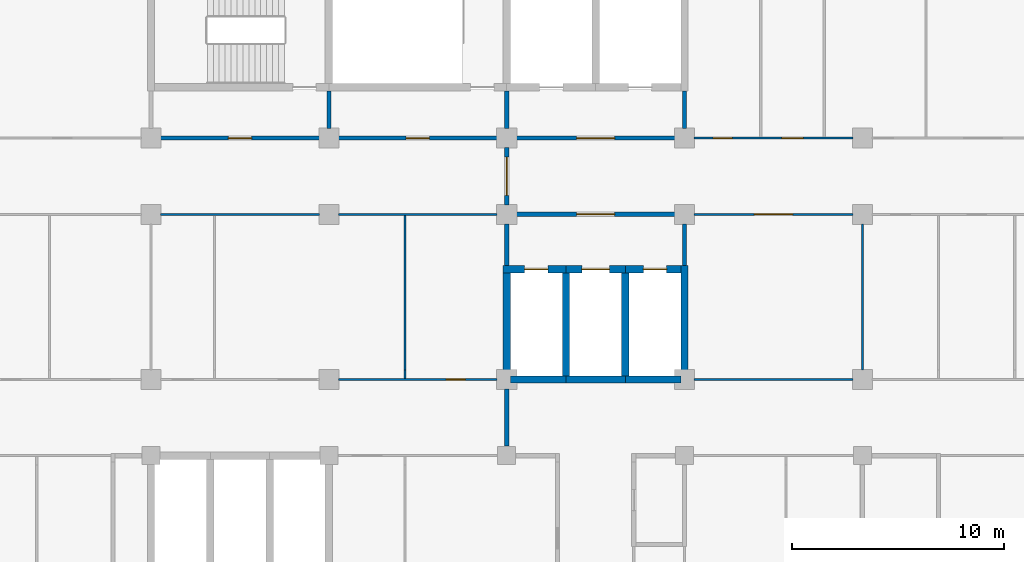
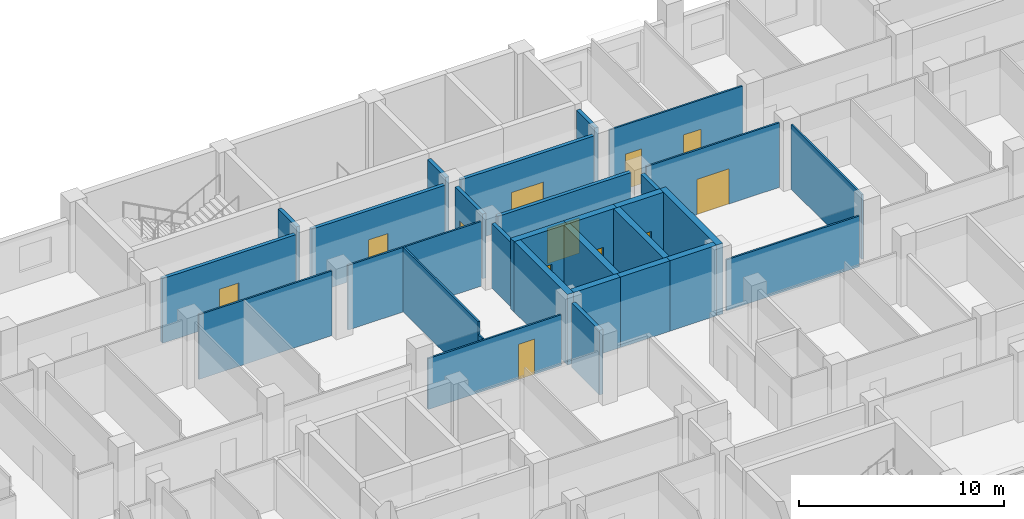
# One storey, part 66 of 109: 30 walls, 12 doors, 12 openings.
"""IFC4 building model written with IfcOpenShell, lengths in metres."""

from ifc_helpers import new_model, si_unit, direction, frame, frame_2d, origin, place, context, subcontext, project, spatial, rectangle, extrude, material, layer, layer_set, type_object, element, fill, save


model = new_model("IFC4")

# Units and contexts
model_context = context("Model", 3, precision=1e-05, world=origin(), true_north=direction((0.0, 1.0)))
body_context = subcontext(model_context, "Body", "Model", "MODEL_VIEW")
ifc_project = project(units=[si_unit("LENGTHUNIT", "METRE"), si_unit("AREAUNIT", "SQUARE_METRE"), si_unit("VOLUMEUNIT", "CUBIC_METRE"), si_unit("PLANEANGLEUNIT", "RADIAN"), si_unit("MASSUNIT", "GRAM", prefix="KILO")], contexts=[model_context])

# Site, building, storey
site_placement = place(None, origin())
site = spatial("IfcSite", under=ifc_project, at=site_placement, CompositionType="ELEMENT")
building_placement = place(site_placement, origin())
building = spatial("IfcBuilding", under=site, at=building_placement, Name="Bougainvillea Quay General Hospital", CompositionType="ELEMENT")
storey_placement = place(building_placement, frame((0.0, 0.0, 12.60009765625)))
storey = spatial("IfcBuildingStorey", under=building, at=storey_placement, Name="L02", CompositionType="ELEMENT", Elevation=12.60009765625)

# Wall
ifc_material_1 = material(Name="Gypsum board partition on steel studs", Category="steel")
ifc_layer_1 = layer(ifc_material_1, 0.10009765625)
ifc_layer_set_1 = layer_set([ifc_layer_1], Name="Gypsum board partition on steel studs")
wall_type_1 = type_object("IfcWallType", Name="Partition 100 Gypsum board partition", PredefinedType="PARTITIONING", material=ifc_layer_set_1)
wall_1_placement = place(storey_placement, frame((167.550048828125, 140.39990234375, 0.0), z_axis=(0.0, 0.0, 1.0), x_axis=(-1.0, 0.0, 0.0)))
element("IfcWall", 1, at=wall_1_placement, inside=storey, type_object=wall_type_1, Name="Partition 100 mm", PredefinedType="PARTITIONING", context=body_context, shape_type="SweptSolid", body=[
    extrude(rectangle(XDim=7.5, YDim=0.10009765625, at=frame_2d((3.75, 0.0))), origin(), (0.0, 0.0, 1.0), 3.02978515625),
])

# Wall, opening, door
wall_2_placement = place(storey_placement, frame((167.550048828125, 148.199951171875, 0.0), z_axis=(0.0, 0.0, 1.0), x_axis=(-1.0, 0.0, 0.0)))
wall_2 = element("IfcWall", 2, at=wall_2_placement, inside=storey, type_object=wall_type_1, Name="Partition 100 mm", PredefinedType="PARTITIONING", context=body_context, shape_type="SweptSolid", body=[
    extrude(rectangle(XDim=7.5, YDim=0.10009765625, at=frame_2d((3.75, 0.0))), origin(), (0.0, 0.0, 1.0), 3.849853515625),
])
opening_1_placement = place(wall_2_placement, frame((2.85009765625, 0.0, 0.0)))
opening_1 = element("IfcOpeningElement", 3, at=opening_1_placement, cuts=wall_2, Name="Opening L02.160", PredefinedType="OPENING", context=body_context, shape_type="SweptSolid", body=[
    extrude(rectangle(XDim=1.800048828125, YDim=2.10009765625, at=frame_2d((0.89990234375, 1.050048828125))), frame((0.0, 0.06005859375, 0.0), z_axis=(0.0, -1.0, 0.0), x_axis=(1.0, 0.0, 0.0)), (0.0, 0.0, 1.0), 0.1201171875),
])
ifc_material_2 = material(Name="Solid-core timber door leaves in steel frame", Category="steel")
door_type_1 = type_object("IfcDoorType", Name="Double leaf door 1800x2100", OperationType="DOUBLE_DOOR_SINGLE_SWING", PredefinedType="DOOR", material=ifc_material_2)
door_1_placement = place(opening_1_placement, origin())
door_1 = element("IfcDoor", 4, at=door_1_placement, inside=storey, type_object=door_type_1, Name="DT08 L02.160", OperationType="DOUBLE_DOOR_SINGLE_SWING", OverallHeight=2.10009765625, OverallWidth=1.800048828125, PredefinedType="DOOR", context=body_context, shape_type="SweptSolid", body=[
    extrude(rectangle(XDim=1.800048828125, YDim=2.10009765625, at=frame_2d((0.89990234375, 1.050048828125))), frame((0.0, 0.02490234375, 0.0), z_axis=(0.0, -1.0, 0.0), x_axis=(1.0, 0.0, 0.0)), (0.0, 0.0, 1.0), 0.050048828125),
])
fill(opening_1, door_1)

wall_3_placement = place(storey_placement, frame((150.75, 140.39990234375, 0.0), z_axis=(0.0, 0.0, 1.0), x_axis=(-1.0, 0.0, 0.0)))
wall_3 = element("IfcWall", 5, at=wall_3_placement, inside=storey, type_object=wall_type_1, Name="Partition 100 mm", PredefinedType="PARTITIONING", context=body_context, shape_type="SweptSolid", body=[
    extrude(rectangle(XDim=7.5, YDim=0.10009765625, at=frame_2d((3.75, 0.0))), origin(), (0.0, 0.0, 1.0), 3.02978515625),
])
opening_2_placement = place(wall_3_placement, frame((1.5, 0.0, 0.0)))
opening_2 = element("IfcOpeningElement", 6, at=opening_2_placement, cuts=wall_3, Name="Opening L02.159", PredefinedType="OPENING", context=body_context, shape_type="SweptSolid", body=[
    extrude(rectangle(XDim=0.89990234375, YDim=2.10009765625, at=frame_2d((0.449951171875, 1.050048828125))), frame((0.0, 0.06005859375, 0.0), z_axis=(0.0, -1.0, 0.0), x_axis=(1.0, 0.0, 0.0)), (0.0, 0.0, 1.0), 0.1201171875),
])
ifc_material_3 = material(Name="Solid-core timber door leaf in steel frame", Category="steel")
door_type_2 = type_object("IfcDoorType", Name="Single leaf door 900x2100", OperationType="NOTDEFINED", PredefinedType="DOOR", material=ifc_material_3)
door_2_placement = place(opening_2_placement, frame((0.89990234375, 0.0, 0.0), z_axis=(0.0, 0.0, 1.0), x_axis=(-1.0, 0.0, 0.0)))
door_2 = element("IfcDoor", 7, at=door_2_placement, inside=storey, type_object=door_type_2, Name="DT07 L02.159", OperationType="SINGLE_SWING_RIGHT", OverallHeight=2.10009765625, OverallWidth=0.89990234375, PredefinedType="DOOR", context=body_context, shape_type="SweptSolid", body=[
    extrude(rectangle(XDim=0.89990234375, YDim=2.10009765625, at=frame_2d((0.449951171875, 1.050048828125))), frame((0.0, 0.02490234375, 0.0), z_axis=(0.0, -1.0, 0.0), x_axis=(1.0, 0.0, 0.0)), (0.0, 0.0, 1.0), 0.050048828125),
])
fill(opening_2, door_2)

# Walls
for number, where, z_axis, x_axis, name in (
    (8, (150.75, 148.199951171875, 0.0), (0.0, 0.0, 1.0), (-1.0, 0.0, 0.0), "Partition 100 mm"),
    (9, (142.35009765625, 148.199951171875, 0.0), (0.0, 0.0, 1.0), (-1.0, 0.0, 0.0), "Partition 100 mm"),
):
    element("IfcWall", number, at=place(storey_placement, frame(where, z_axis=z_axis, x_axis=x_axis)), inside=storey, type_object=wall_type_1, Name=name, PredefinedType="PARTITIONING", context=body_context, shape_type="SweptSolid", body=[
        extrude(rectangle(XDim=7.5, YDim=0.10009765625, at=frame_2d((3.75, 0.0))), origin(), (0.0, 0.0, 1.0), 3.849853515625),
    ])

# Wall, openings, doors
wall_4_placement = place(storey_placement, frame((167.550048828125, 151.800048828125, 0.0), z_axis=(0.0, 0.0, 1.0), x_axis=(-1.0, 0.0, 0.0)))
wall_4 = element("IfcWall", 10, at=wall_4_placement, inside=storey, type_object=wall_type_1, Name="Partition 100 mm", PredefinedType="PARTITIONING", context=body_context, shape_type="SweptSolid", body=[
    extrude(rectangle(XDim=7.5, YDim=0.10009765625, at=frame_2d((3.75, 0.0))), origin(), (0.0, 0.0, 1.0), 3.849853515625),
])
opening_3_placement = place(wall_4_placement, frame((5.699951171875, 0.0, 0.0)))
opening_3 = element("IfcOpeningElement", 11, at=opening_3_placement, cuts=wall_4, Name="Opening L02.167", PredefinedType="OPENING", context=body_context, shape_type="SweptSolid", body=[
    extrude(rectangle(XDim=0.89990234375, YDim=2.10009765625, at=frame_2d((0.449951171875, 1.050048828125))), frame((0.0, 0.06005859375, 0.0), z_axis=(0.0, -1.0, 0.0), x_axis=(1.0, 0.0, 0.0)), (0.0, 0.0, 1.0), 0.1201171875),
])
opening_4_placement = place(wall_4_placement, frame((2.35009765625, 0.0, 0.0)))
opening_4 = element("IfcOpeningElement", 12, at=opening_4_placement, cuts=wall_4, Name="Opening L02.168", PredefinedType="OPENING", context=body_context, shape_type="SweptSolid", body=[
    extrude(rectangle(XDim=1.0, YDim=2.10009765625, at=frame_2d((0.5, 1.050048828125))), frame((0.0, 0.06005859375, 0.0), z_axis=(0.0, -1.0, 0.0), x_axis=(1.0, 0.0, 0.0)), (0.0, 0.0, 1.0), 0.1201171875),
])
door_type_3 = type_object("IfcDoorType", Name="Single leaf door 1000x2100", OperationType="NOTDEFINED", PredefinedType="DOOR", material=ifc_material_3)
door_3_placement = place(opening_4_placement, frame((1.0, 0.0, 0.0), z_axis=(0.0, 0.0, 1.0), x_axis=(-1.0, 0.0, 0.0)))
door_3 = element("IfcDoor", 13, at=door_3_placement, inside=storey, type_object=door_type_3, Name="DT06 L02.168", OperationType="SINGLE_SWING_RIGHT", OverallHeight=2.10009765625, OverallWidth=1.0, PredefinedType="DOOR", context=body_context, shape_type="SweptSolid", body=[
    extrude(rectangle(XDim=1.0, YDim=2.10009765625, at=frame_2d((0.5, 1.050048828125))), frame((0.0, 0.02490234375, 0.0), z_axis=(0.0, -1.0, 0.0), x_axis=(1.0, 0.0, 0.0)), (0.0, 0.0, 1.0), 0.050048828125),
])
fill(opening_4, door_3)
door_4_placement = place(opening_3_placement, frame((0.89990234375, 0.0, 0.0), z_axis=(0.0, 0.0, 1.0), x_axis=(-1.0, 0.0, 0.0)))
door_4 = element("IfcDoor", 14, at=door_4_placement, inside=storey, type_object=door_type_2, Name="DT07 L02.167", OperationType="SINGLE_SWING_LEFT", OverallHeight=2.10009765625, OverallWidth=0.89990234375, PredefinedType="DOOR", context=body_context, shape_type="SweptSolid", body=[
    extrude(rectangle(XDim=0.89990234375, YDim=2.10009765625, at=frame_2d((0.449951171875, 1.050048828125))), frame((0.0, 0.02490234375, 0.0), z_axis=(0.0, -1.0, 0.0), x_axis=(1.0, 0.0, 0.0)), (0.0, 0.0, 1.0), 0.050048828125),
])
fill(opening_3, door_4)

# Walls
wall_5_placement = place(storey_placement, frame((146.39990234375, 140.449951171875, 0.0), z_axis=(0.0, 0.0, 1.0), x_axis=(0.0, 1.0, 0.0)))
element("IfcWall", 15, at=wall_5_placement, inside=storey, type_object=wall_type_1, Name="Partition 100 mm", PredefinedType="PARTITIONING", context=body_context, shape_type="SweptSolid", body=[
    extrude(rectangle(XDim=0.400146484375, YDim=0.10009765625, at=frame_2d((0.2001953125, 0.0))), origin(), (0.0, 0.0, 1.0), 3.079833984375),
])
wall_6_placement = place(storey_placement, frame((146.39990234375, 140.85009765625, 0.0), z_axis=(0.0, 0.0, 1.0), x_axis=(0.0, 1.0, 0.0)))
element("IfcWall", 16, at=wall_6_placement, inside=storey, type_object=wall_type_1, Name="Partition 100 mm", PredefinedType="PARTITIONING", context=body_context, shape_type="SweptSolid", body=[
    extrude(rectangle(XDim=7.2998046875, YDim=0.10009765625, at=frame_2d((3.64990234375, 0.0))), origin(), (0.0, 0.0, 1.0), 3.849853515625),
])
wall_7_placement = place(storey_placement, frame((168.0, 140.85009765625, 0.0), z_axis=(0.0, 0.0, 1.0), x_axis=(0.0, 1.0, 0.0)))
element("IfcWall", 17, at=wall_7_placement, inside=storey, type_object=wall_type_1, Name="Partition 100 mm", PredefinedType="PARTITIONING", context=body_context, shape_type="SweptSolid", body=[
    extrude(rectangle(XDim=6.89990234375, YDim=0.10009765625, at=frame_2d((3.449951171875, 0.0))), origin(), (0.0, 0.0, 1.0), 3.849853515625),
])

# Wall, opening, door
ifc_material_4 = material(Name="Fire-rated autoclaved aerated block wall, plastered")
ifc_layer_2 = layer(ifc_material_4, 0.199951171875)
ifc_layer_set_2 = layer_set([ifc_layer_2], Name="Fire-rated autoclaved aerated block wall, plastered")
wall_type_2 = type_object("IfcWallType", Name="Partition 200 Fire-rated autoclaved aerated block wall EI 120", PredefinedType="SOLIDWALL", material=ifc_layer_set_2)
wall_8_placement = place(storey_placement, frame((159.14990234375, 151.800048828125, 0.0), z_axis=(0.0, 0.0, 1.0), x_axis=(-1.0, 0.0, 0.0)))
wall_8 = element("IfcWall", 18, at=wall_8_placement, inside=storey, type_object=wall_type_2, Name="Partition 200 mm EI 120", PredefinedType="SOLIDWALL", context=body_context, shape_type="SweptSolid", body=[
    extrude(rectangle(XDim=7.5, YDim=0.199951171875, at=frame_2d((3.75, 0.0))), origin(), (0.0, 0.0, 1.0), 3.849853515625),
])
opening_5_placement = place(wall_8_placement, frame((2.85009765625, 0.0, 0.0)))
opening_5 = element("IfcOpeningElement", 19, at=opening_5_placement, cuts=wall_8, Name="Opening L02.049", PredefinedType="OPENING", context=body_context, shape_type="SweptSolid", body=[
    extrude(rectangle(XDim=1.800048828125, YDim=2.10009765625, at=frame_2d((0.89990234375, 1.050048828125))), frame((0.0, 0.10986328125, 0.0), z_axis=(0.0, -1.0, 0.0), x_axis=(1.0, 0.0, 0.0)), (0.0, 0.0, 1.0), 0.219970703125),
])
ifc_material_5 = material(Name="Steel fire door leaves in steel frame", Category="steel")
door_type_4 = type_object("IfcDoorType", Name="Steel double leaf door 1800x2100 FD60", OperationType="DOUBLE_DOOR_SINGLE_SWING", PredefinedType="DOOR", material=ifc_material_5)
door_5_placement = place(opening_5_placement, frame((1.800048828125, 0.0, 0.0), z_axis=(0.0, 0.0, 1.0), x_axis=(-1.0, 0.0, 0.0)))
door_5 = element("IfcDoor", 20, at=door_5_placement, inside=storey, type_object=door_type_4, Name="DT05 L02.049", OperationType="DOUBLE_DOOR_SINGLE_SWING", OverallHeight=2.10009765625, OverallWidth=1.800048828125, PredefinedType="DOOR", context=body_context, shape_type="SweptSolid", body=[
    extrude(rectangle(XDim=1.800048828125, YDim=2.10009765625, at=frame_2d((0.89990234375, 1.050048828125))), frame((0.0, 0.02490234375, 0.0), z_axis=(0.0, -1.0, 0.0), x_axis=(1.0, 0.0, 0.0)), (0.0, 0.0, 1.0), 0.050048828125),
])
fill(opening_5, door_5)

wall_9_placement = place(storey_placement, frame((150.75, 151.800048828125, 0.0), z_axis=(0.0, 0.0, 1.0), x_axis=(-1.0, 0.0, 0.0)))
wall_9 = element("IfcWall", 21, at=wall_9_placement, inside=storey, type_object=wall_type_2, Name="Partition 200 mm EI 120", PredefinedType="SOLIDWALL", context=body_context, shape_type="SweptSolid", body=[
    extrude(rectangle(XDim=7.5, YDim=0.199951171875, at=frame_2d((3.75, 0.0))), origin(), (0.0, 0.0, 1.0), 3.849853515625),
])
opening_6_placement = place(wall_9_placement, frame((3.199951171875, 0.0, 0.0)))
opening_6 = element("IfcOpeningElement", 22, at=opening_6_placement, cuts=wall_9, Name="Opening L02.041", PredefinedType="OPENING", context=body_context, shape_type="SweptSolid", body=[
    extrude(rectangle(XDim=1.10009765625, YDim=2.10009765625, at=frame_2d((0.550048828125, 1.050048828125))), frame((0.0, 0.10986328125, 0.0), z_axis=(0.0, -1.0, 0.0), x_axis=(1.0, 0.0, 0.0)), (0.0, 0.0, 1.0), 0.219970703125),
])
ifc_material_6 = material(Name="Steel fire door leaf in steel frame", Category="steel")
door_type_5 = type_object("IfcDoorType", Name="Steel single leaf door 1100x2100 FD60", OperationType="NOTDEFINED", PredefinedType="DOOR", material=ifc_material_6)
door_6_placement = place(opening_6_placement, frame((1.10009765625, 0.0, 0.0), z_axis=(0.0, 0.0, 1.0), x_axis=(-1.0, 0.0, 0.0)))
door_6 = element("IfcDoor", 23, at=door_6_placement, inside=storey, type_object=door_type_5, Name="DT04 L02.041", OperationType="SINGLE_SWING_RIGHT", OverallHeight=2.10009765625, OverallWidth=1.10009765625, PredefinedType="DOOR", context=body_context, shape_type="SweptSolid", body=[
    extrude(rectangle(XDim=1.10009765625, YDim=2.10009765625, at=frame_2d((0.550048828125, 1.050048828125))), frame((0.0, 0.02490234375, 0.0), z_axis=(0.0, -1.0, 0.0), x_axis=(1.0, 0.0, 0.0)), (0.0, 0.0, 1.0), 0.050048828125),
])
fill(opening_6, door_6)

wall_10_placement = place(storey_placement, frame((142.35009765625, 151.800048828125, 0.0), z_axis=(0.0, 0.0, 1.0), x_axis=(-1.0, 0.0, 0.0)))
wall_10 = element("IfcWall", 24, at=wall_10_placement, inside=storey, type_object=wall_type_2, Name="Partition 200 mm EI 120", PredefinedType="SOLIDWALL", context=body_context, shape_type="SweptSolid", body=[
    extrude(rectangle(XDim=7.5, YDim=0.199951171875, at=frame_2d((3.75, 0.0))), origin(), (0.0, 0.0, 1.0), 3.849853515625),
])
opening_7_placement = place(wall_10_placement, frame((3.199951171875, 0.0, 0.0)))
opening_7 = element("IfcOpeningElement", 25, at=opening_7_placement, cuts=wall_10, Name="Opening L02.033", PredefinedType="OPENING", context=body_context, shape_type="SweptSolid", body=[
    extrude(rectangle(XDim=1.10009765625, YDim=2.10009765625, at=frame_2d((0.550048828125, 1.050048828125))), frame((0.0, 0.10986328125, 0.0), z_axis=(0.0, -1.0, 0.0), x_axis=(1.0, 0.0, 0.0)), (0.0, 0.0, 1.0), 0.219970703125),
])
door_7_placement = place(opening_7_placement, frame((1.10009765625, 0.0, 0.0), z_axis=(0.0, 0.0, 1.0), x_axis=(-1.0, 0.0, 0.0)))
door_7 = element("IfcDoor", 26, at=door_7_placement, inside=storey, type_object=door_type_5, Name="DT04 L02.033", OperationType="SINGLE_SWING_RIGHT", OverallHeight=2.10009765625, OverallWidth=1.10009765625, PredefinedType="DOOR", context=body_context, shape_type="SweptSolid", body=[
    extrude(rectangle(XDim=1.10009765625, YDim=2.10009765625, at=frame_2d((0.550048828125, 1.050048828125))), frame((0.0, 0.02490234375, 0.0), z_axis=(0.0, -1.0, 0.0), x_axis=(1.0, 0.0, 0.0)), (0.0, 0.0, 1.0), 0.050048828125),
])
fill(opening_7, door_7)

# Wall
wall_11_placement = place(storey_placement, frame((151.199951171875, 154.02490234375, 0.0), z_axis=(0.0, 0.0, 1.0), x_axis=(0.0, -1.0, 0.0)))
element("IfcWall", 27, at=wall_11_placement, inside=storey, type_object=wall_type_2, Name="Partition 200 mm EI 120", PredefinedType="SOLIDWALL", context=body_context, shape_type="SweptSolid", body=[
    extrude(rectangle(XDim=1.77490234375, YDim=0.199951171875, at=frame_2d((0.887451171875, 0.0))), origin(), (0.0, 0.0, 1.0), 3.849853515625),
])

# Wall, opening, door
wall_12_placement = place(storey_placement, frame((151.199951171875, 151.35009765625, 0.0), z_axis=(0.0, 0.0, 1.0), x_axis=(0.0, -1.0, 0.0)))
wall_12 = element("IfcWall", 28, at=wall_12_placement, inside=storey, type_object=wall_type_2, Name="Partition 200 mm EI 120", PredefinedType="SOLIDWALL", context=body_context, shape_type="SweptSolid", body=[
    extrude(rectangle(XDim=2.7001953125, YDim=0.199951171875, at=frame_2d((1.35009765625, 0.0))), origin(), (0.0, 0.0, 1.0), 3.849853515625),
])
opening_8_placement = place(wall_12_placement, frame((0.449951171875, 0.0, 0.0)))
opening_8 = element("IfcOpeningElement", 29, at=opening_8_placement, cuts=wall_12, Name="Opening L02.016", PredefinedType="OPENING", context=body_context, shape_type="SweptSolid", body=[
    extrude(rectangle(XDim=1.800048828125, YDim=2.10009765625, at=frame_2d((0.89990234375, 1.050048828125))), frame((0.0, 0.10986328125, 0.0), z_axis=(0.0, -1.0, 0.0), x_axis=(1.0, 0.0, 0.0)), (0.0, 0.0, 1.0), 0.219970703125),
])
door_type_6 = type_object("IfcDoorType", Name="Steel double leaf door 1800x2100 FD90", OperationType="DOUBLE_DOOR_SINGLE_SWING", PredefinedType="DOOR", material=ifc_material_5)
door_8_placement = place(opening_8_placement, frame((1.800048828125, 0.0, 0.0), z_axis=(0.0, 0.0, 1.0), x_axis=(-1.0, 0.0, 0.0)))
door_8 = element("IfcDoor", 30, at=door_8_placement, inside=storey, type_object=door_type_6, Name="DT03 L02.016", OperationType="DOUBLE_DOOR_SINGLE_SWING", OverallHeight=2.10009765625, OverallWidth=1.800048828125, PredefinedType="DOOR", context=body_context, shape_type="SweptSolid", body=[
    extrude(rectangle(XDim=1.800048828125, YDim=2.10009765625, at=frame_2d((0.89990234375, 1.050048828125))), frame((0.0, 0.02490234375, 0.0), z_axis=(0.0, -1.0, 0.0), x_axis=(1.0, 0.0, 0.0)), (0.0, 0.0, 1.0), 0.050048828125),
])
fill(opening_8, door_8)

# Wall
wall_13_placement = place(storey_placement, frame((151.199951171875, 147.75, 0.0), z_axis=(0.0, 0.0, 1.0), x_axis=(0.0, -1.0, 0.0)))
element("IfcWall", 31, at=wall_13_placement, inside=storey, type_object=wall_type_2, Name="Partition 200 mm EI 120", PredefinedType="SOLIDWALL", context=body_context, shape_type="SweptSolid", body=[
    extrude(rectangle(XDim=1.97509765625, YDim=0.199951171875, at=frame_2d((0.987548828125, 0.0))), origin(), (0.0, 0.0, 1.0), 3.849853515625),
])

# Wall, opening, door
wall_14_placement = place(storey_placement, frame((151.64990234375, 148.199951171875, 0.0), z_axis=(0.0, 0.0, 1.0), x_axis=(1.0, 0.0, 0.0)))
wall_14 = element("IfcWall", 32, at=wall_14_placement, inside=storey, type_object=wall_type_2, Name="Partition 200 mm EI 120", PredefinedType="SOLIDWALL", context=body_context, shape_type="SweptSolid", body=[
    extrude(rectangle(XDim=7.5, YDim=0.199951171875, at=frame_2d((3.75, 0.0))), origin(), (0.0, 0.0, 1.0), 3.849853515625),
])
opening_9_placement = place(wall_14_placement, frame((2.85009765625, 0.0, 0.0)))
opening_9 = element("IfcOpeningElement", 33, at=opening_9_placement, cuts=wall_14, Name="Opening L02.044", PredefinedType="OPENING", context=body_context, shape_type="SweptSolid", body=[
    extrude(rectangle(XDim=1.800048828125, YDim=2.10009765625, at=frame_2d((0.89990234375, 1.050048828125))), frame((0.0, 0.10986328125, 0.0), z_axis=(0.0, -1.0, 0.0), x_axis=(1.0, 0.0, 0.0)), (0.0, 0.0, 1.0), 0.219970703125),
])
door_9_placement = place(opening_9_placement, frame((1.800048828125, 0.0, 0.0), z_axis=(0.0, 0.0, 1.0), x_axis=(-1.0, 0.0, 0.0)))
door_9 = element("IfcDoor", 34, at=door_9_placement, inside=storey, type_object=door_type_4, Name="DT05 L02.044", OperationType="DOUBLE_DOOR_SINGLE_SWING", OverallHeight=2.10009765625, OverallWidth=1.800048828125, PredefinedType="DOOR", context=body_context, shape_type="SweptSolid", body=[
    extrude(rectangle(XDim=1.800048828125, YDim=2.10009765625, at=frame_2d((0.89990234375, 1.050048828125))), frame((0.0, 0.02490234375, 0.0), z_axis=(0.0, -1.0, 0.0), x_axis=(1.0, 0.0, 0.0)), (0.0, 0.0, 1.0), 0.050048828125),
])
fill(opening_9, door_9)

# Walls
wall_15_placement = place(storey_placement, frame((151.199951171875, 137.25, 0.0), z_axis=(0.0, 0.0, 1.0), x_axis=(0.0, 1.0, 0.0)))
element("IfcWall", 35, at=wall_15_placement, inside=storey, type_object=wall_type_2, Name="Partition 200 mm EI 120", PredefinedType="SOLIDWALL", context=body_context, shape_type="SweptSolid", body=[
    extrude(rectangle(XDim=2.699951171875, YDim=0.199951171875, at=frame_2d((1.35009765625, 0.0))), origin(), (0.0, 0.0, 1.0), 3.849853515625),
])
wall_16_placement = place(storey_placement, frame((159.60009765625, 145.77490234375, 0.0), z_axis=(0.0, 0.0, 1.0), x_axis=(0.0, 1.0, 0.0)))
element("IfcWall", 36, at=wall_16_placement, inside=storey, type_object=wall_type_2, Name="Partition 200 mm EI 120", PredefinedType="SOLIDWALL", context=body_context, shape_type="SweptSolid", body=[
    extrude(rectangle(XDim=1.97509765625, YDim=0.199951171875, at=frame_2d((0.987548828125, 0.0))), origin(), (0.0, 0.0, 1.0), 3.849853515625),
])
for number, where, z_axis, x_axis, name in (
    (37, (142.800048828125, 152.25, 0.0), (0.0, 0.0, 1.0), (0.0, 1.0, 0.0), "Partition 200 mm EI 120"),
    (38, (159.60009765625, 152.25, 0.0), (0.0, 0.0, 1.0), (0.0, 1.0, 0.0), "Partition 200 mm EI 120"),
):
    element("IfcWall", number, at=place(storey_placement, frame(where, z_axis=z_axis, x_axis=x_axis)), inside=storey, type_object=wall_type_2, Name=name, PredefinedType="SOLIDWALL", context=body_context, shape_type="SweptSolid", body=[
        extrude(rectangle(XDim=1.77490234375, YDim=0.199951171875, at=frame_2d((0.887451171875, 0.0))), origin(), (0.0, 0.0, 1.0), 3.849853515625),
    ])

# Wall, opening, door
ifc_material_7 = material(Name="Concrete C40", Category="concrete")
ifc_layer_3 = layer(ifc_material_7, 0.35009765625)
ifc_layer_set_3 = layer_set([ifc_layer_3], Name="Concrete C40")
wall_type_3 = type_object("IfcWallType", Name="RC SHEAR WALL 350 C40", PredefinedType="SHEAR", material=ifc_layer_set_3)
wall_17_placement = place(storey_placement, frame((151.02490234375, 145.60009765625, 0.0), z_axis=(0.0, 0.0, 1.0), x_axis=(1.0, 0.0, 0.0)))
wall_17 = element("IfcWall", 39, at=wall_17_placement, inside=storey, type_object=wall_type_3, Name="Shear wall L02", PredefinedType="SHEAR", context=body_context, shape_type="SweptSolid", body=[
    extrude(rectangle(XDim=2.97509765625, YDim=0.35009765625, at=frame_2d((1.487548828125, 0.0))), origin(), (0.0, 0.0, 1.0), 4.199951171875),
])
opening_10_placement = place(wall_17_placement, frame((1.02490234375, 0.0, 0.0)))
opening_10 = element("IfcOpeningElement", 40, at=opening_10_placement, cuts=wall_17, Name="Opening LD-A2.1-L02", PredefinedType="OPENING", context=body_context, shape_type="SweptSolid", body=[
    extrude(rectangle(XDim=1.10009765625, YDim=2.10009765625, at=frame_2d((0.550048828125, 1.050048828125))), frame((0.0, 0.18505859375, 0.0), z_axis=(0.0, -1.0, 0.0), x_axis=(1.0, 0.0, 0.0)), (0.0, 0.0, 1.0), 0.3701171875),
])
ifc_material_8 = material(Name="Stainless steel centre-opening landing door", Category="steel")
door_type_7 = type_object("IfcDoorType", Name="Lift landing door 1100x2100 E 120", OperationType="DOUBLE_DOOR_SLIDING", PredefinedType="DOOR", material=ifc_material_8)
door_10_placement = place(opening_10_placement, origin())
door_10 = element("IfcDoor", 41, at=door_10_placement, inside=storey, type_object=door_type_7, Name="Lift landing door LB-A2-1 L02", OperationType="DOUBLE_DOOR_SLIDING", OverallHeight=2.10009765625, OverallWidth=1.10009765625, PredefinedType="DOOR", context=body_context, shape_type="SweptSolid", body=[
    extrude(rectangle(XDim=1.10009765625, YDim=2.10009765625, at=frame_2d((0.550048828125, 1.050048828125))), frame((0.0, 0.02490234375, 0.0), z_axis=(0.0, -1.0, 0.0), x_axis=(1.0, 0.0, 0.0)), (0.0, 0.0, 1.0), 0.050048828125),
])
fill(opening_10, door_10)

# Walls
wall_18_placement = place(storey_placement, frame((151.199951171875, 140.22509765625, 0.0), z_axis=(0.0, 0.0, 1.0), x_axis=(0.0, 1.0, 0.0)))
element("IfcWall", 42, at=wall_18_placement, inside=storey, type_object=wall_type_3, Name="Shear wall L02", PredefinedType="SHEAR", context=body_context, shape_type="SweptSolid", body=[
    extrude(rectangle(XDim=5.199951171875, YDim=0.35009765625, at=frame_2d((2.60009765625, 0.0))), origin(), (0.0, 0.0, 1.0), 4.199951171875),
])
wall_19_placement = place(storey_placement, frame((151.375, 140.39990234375, 0.0), z_axis=(0.0, 0.0, 1.0), x_axis=(1.0, 0.0, 0.0)))
element("IfcWall", 43, at=wall_19_placement, inside=storey, type_object=wall_type_3, Name="Shear wall L02", PredefinedType="SHEAR", context=body_context, shape_type="SweptSolid", body=[
    extrude(rectangle(XDim=2.625, YDim=0.35009765625, at=frame_2d((1.3125, 0.0))), origin(), (0.0, 0.0, 1.0), 4.199951171875),
])
wall_20_placement = place(storey_placement, frame((154.0, 140.39990234375, 0.0), z_axis=(0.0, 0.0, 1.0), x_axis=(1.0, 0.0, 0.0)))
element("IfcWall", 44, at=wall_20_placement, inside=storey, type_object=wall_type_3, Name="Shear wall L02", PredefinedType="SHEAR", context=body_context, shape_type="SweptSolid", body=[
    extrude(rectangle(XDim=2.800048828125, YDim=0.35009765625, at=frame_2d((1.39990234375, 0.0))), origin(), (0.0, 0.0, 1.0), 4.199951171875),
])
wall_21_placement = place(storey_placement, frame((154.0, 140.574951171875, 0.0), z_axis=(0.0, 0.0, 1.0), x_axis=(0.0, 1.0, 0.0)))
element("IfcWall", 45, at=wall_21_placement, inside=storey, type_object=wall_type_3, Name="Shear wall L02", PredefinedType="SHEAR", context=body_context, shape_type="SweptSolid", body=[
    extrude(rectangle(XDim=4.85009765625, YDim=0.35009765625, at=frame_2d((2.425048828125, 0.0))), origin(), (0.0, 0.0, 1.0), 4.199951171875),
])

# Wall, opening, door
wall_22_placement = place(storey_placement, frame((154.0, 145.60009765625, 0.0), z_axis=(0.0, 0.0, 1.0), x_axis=(1.0, 0.0, 0.0)))
wall_22 = element("IfcWall", 46, at=wall_22_placement, inside=storey, type_object=wall_type_3, Name="Shear wall L02", PredefinedType="SHEAR", context=body_context, shape_type="SweptSolid", body=[
    extrude(rectangle(XDim=2.800048828125, YDim=0.35009765625, at=frame_2d((1.39990234375, 0.0))), origin(), (0.0, 0.0, 1.0), 4.199951171875),
])
opening_11_placement = place(wall_22_placement, frame((0.75, 0.0, 0.0)))
opening_11 = element("IfcOpeningElement", 47, at=opening_11_placement, cuts=wall_22, Name="Opening LD-A2.2-L02", PredefinedType="OPENING", context=body_context, shape_type="SweptSolid", body=[
    extrude(rectangle(XDim=1.300048828125, YDim=2.10009765625, at=frame_2d((0.64990234375, 1.050048828125))), frame((0.0, 0.18505859375, 0.0), z_axis=(0.0, -1.0, 0.0), x_axis=(1.0, 0.0, 0.0)), (0.0, 0.0, 1.0), 0.3701171875),
])
door_type_8 = type_object("IfcDoorType", Name="Lift landing door 1300x2100 E 120", OperationType="DOUBLE_DOOR_SLIDING", PredefinedType="DOOR", material=ifc_material_8)
door_11_placement = place(opening_11_placement, origin())
door_11 = element("IfcDoor", 48, at=door_11_placement, inside=storey, type_object=door_type_8, Name="Lift landing door LB-A2-2 L02", OperationType="DOUBLE_DOOR_SLIDING", OverallHeight=2.10009765625, OverallWidth=1.300048828125, PredefinedType="DOOR", context=body_context, shape_type="SweptSolid", body=[
    extrude(rectangle(XDim=1.300048828125, YDim=2.10009765625, at=frame_2d((0.64990234375, 1.050048828125))), frame((0.0, 0.02490234375, 0.0), z_axis=(0.0, -1.0, 0.0), x_axis=(1.0, 0.0, 0.0)), (0.0, 0.0, 1.0), 0.050048828125),
])
fill(opening_11, door_11)

# Walls
wall_23_placement = place(storey_placement, frame((156.800048828125, 140.39990234375, 0.0), z_axis=(0.0, 0.0, 1.0), x_axis=(1.0, 0.0, 0.0)))
element("IfcWall", 49, at=wall_23_placement, inside=storey, type_object=wall_type_3, Name="Shear wall L02", PredefinedType="SHEAR", context=body_context, shape_type="SweptSolid", body=[
    extrude(rectangle(XDim=2.625, YDim=0.35009765625, at=frame_2d((1.3125, 0.0))), origin(), (0.0, 0.0, 1.0), 4.199951171875),
])
wall_24_placement = place(storey_placement, frame((156.800048828125, 140.574951171875, 0.0), z_axis=(0.0, 0.0, 1.0), x_axis=(0.0, 1.0, 0.0)))
element("IfcWall", 50, at=wall_24_placement, inside=storey, type_object=wall_type_3, Name="Shear wall L02", PredefinedType="SHEAR", context=body_context, shape_type="SweptSolid", body=[
    extrude(rectangle(XDim=4.85009765625, YDim=0.35009765625, at=frame_2d((2.425048828125, 0.0))), origin(), (0.0, 0.0, 1.0), 4.199951171875),
])

# Wall, opening, door
wall_25_placement = place(storey_placement, frame((156.800048828125, 145.60009765625, 0.0), z_axis=(0.0, 0.0, 1.0), x_axis=(1.0, 0.0, 0.0)))
wall_25 = element("IfcWall", 51, at=wall_25_placement, inside=storey, type_object=wall_type_3, Name="Shear wall L02", PredefinedType="SHEAR", context=body_context, shape_type="SweptSolid", body=[
    extrude(rectangle(XDim=2.625, YDim=0.35009765625, at=frame_2d((1.3125, 0.0))), origin(), (0.0, 0.0, 1.0), 4.199951171875),
])
opening_12_placement = place(wall_25_placement, frame((0.85009765625, 0.0, 0.0)))
opening_12 = element("IfcOpeningElement", 52, at=opening_12_placement, cuts=wall_25, Name="Opening LD-A2.3-L02", PredefinedType="OPENING", context=body_context, shape_type="SweptSolid", body=[
    extrude(rectangle(XDim=1.10009765625, YDim=2.10009765625, at=frame_2d((0.550048828125, 1.050048828125))), frame((0.0, 0.18505859375, 0.0), z_axis=(0.0, -1.0, 0.0), x_axis=(1.0, 0.0, 0.0)), (0.0, 0.0, 1.0), 0.3701171875),
])
door_12_placement = place(opening_12_placement, origin())
door_12 = element("IfcDoor", 53, at=door_12_placement, inside=storey, type_object=door_type_7, Name="Lift landing door LB-A2-3 L02", OperationType="DOUBLE_DOOR_SLIDING", OverallHeight=2.10009765625, OverallWidth=1.10009765625, PredefinedType="DOOR", context=body_context, shape_type="SweptSolid", body=[
    extrude(rectangle(XDim=1.10009765625, YDim=2.10009765625, at=frame_2d((0.550048828125, 1.050048828125))), frame((0.0, 0.02490234375, 0.0), z_axis=(0.0, -1.0, 0.0), x_axis=(1.0, 0.0, 0.0)), (0.0, 0.0, 1.0), 0.050048828125),
])
fill(opening_12, door_12)

# Wall
wall_26_placement = place(storey_placement, frame((159.60009765625, 140.22509765625, 0.0), z_axis=(0.0, 0.0, 1.0), x_axis=(0.0, 1.0, 0.0)))
element("IfcWall", 54, at=wall_26_placement, inside=storey, type_object=wall_type_3, Name="Shear wall L02", PredefinedType="SHEAR", context=body_context, shape_type="SweptSolid", body=[
    extrude(rectangle(XDim=5.5498046875, YDim=0.35009765625, at=frame_2d((2.77490234375, 0.0))), origin(), (0.0, 0.0, 1.0), 4.199951171875),
])

save(model, "model.ifc")
